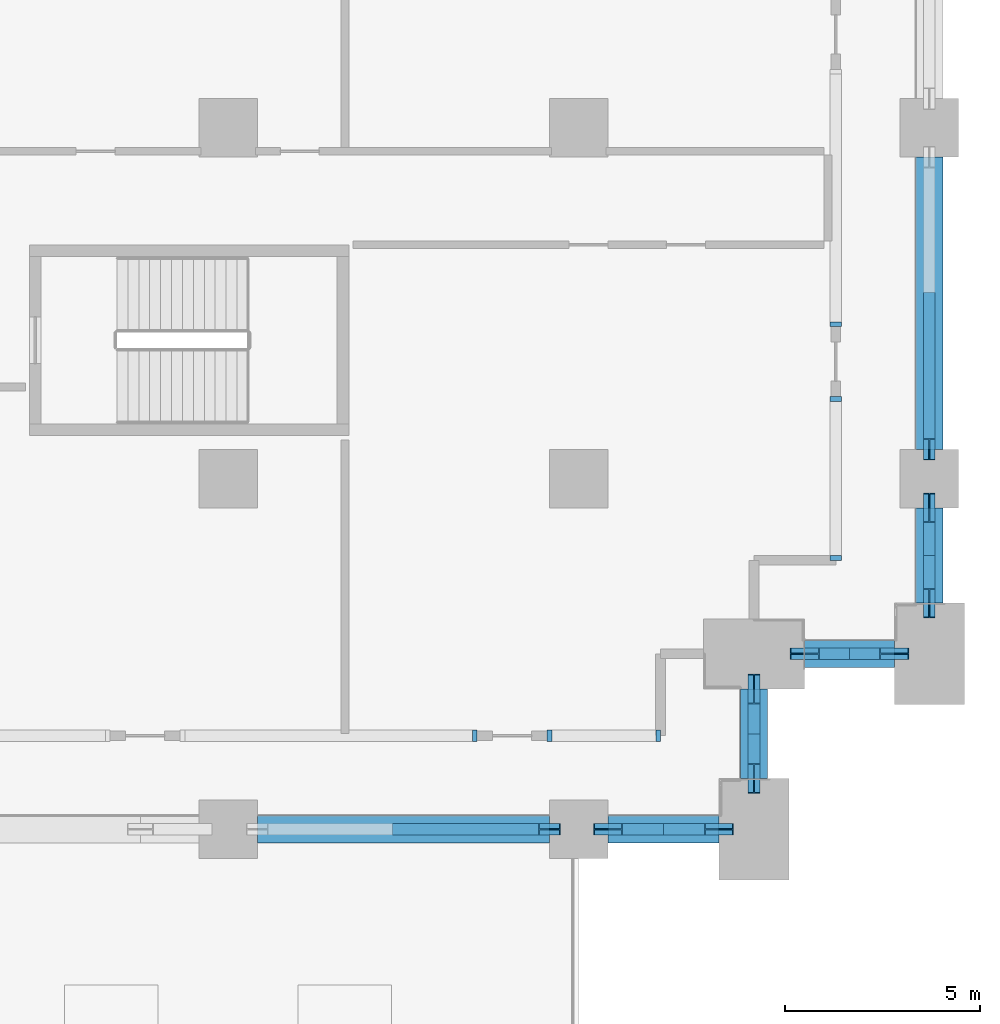
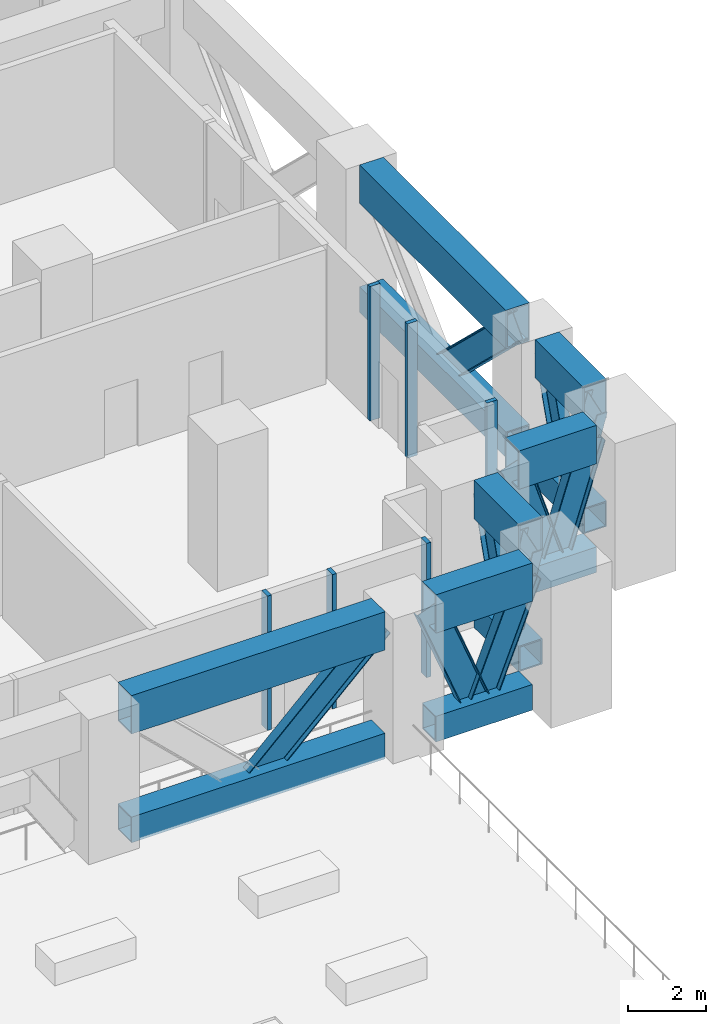
# One storey, part 4 of 31: 28 members.
"""IFC4 building model written with IfcOpenShell, lengths in metres."""

from ifc_helpers import new_model, si_unit, direction, frame, origin, origin_2d, place, context, subcontext, project, spatial, rectangle, hollow_rectangle, i_section, extrude, material, material_profile, profile_set, type_object, element, save


model = new_model("IFC4")

# Units and contexts
model_context = context("Model", 3, precision=1e-05, world=origin(), true_north=direction((0.0, 1.0)))
body_context = subcontext(model_context, "Body", "Model", "MODEL_VIEW")
ifc_project = project(units=[si_unit("LENGTHUNIT", "METRE"), si_unit("AREAUNIT", "SQUARE_METRE"), si_unit("VOLUMEUNIT", "CUBIC_METRE"), si_unit("PLANEANGLEUNIT", "RADIAN"), si_unit("MASSUNIT", "GRAM", prefix="KILO")], contexts=[model_context])

# Site, building, storey
site_placement = place(None, origin())
site = spatial("IfcSite", under=ifc_project, at=site_placement, CompositionType="ELEMENT")
building_placement = place(site_placement, origin())
building = spatial("IfcBuilding", under=site, at=building_placement, Name="Hunhe Ridgeline Campus", CompositionType="ELEMENT")
storey_placement = place(building_placement, frame((0.0, 0.0, 31.199951171875)))
storey = spatial("IfcBuildingStorey", under=building, at=storey_placement, Name="L06", CompositionType="ELEMENT", Elevation=31.199951171875)

# Members
ifc_material_1 = material(Name="Steel Q420", Category="steel")
ifc_material_profile_1 = material_profile(ifc_material_1, hollow_rectangle(XDim=0.699951171875, YDim=0.800048828125, WallThickness=0.0400390625, at=origin_2d()))
ifc_profile_set_1 = profile_set([ifc_material_profile_1], Name="Steel Q420")
member_type_1 = type_object("IfcMemberType", Name="Belt truss bottom chord Box 800x700x40 Steel Q420", PredefinedType="CHORD", material=ifc_profile_set_1)
member_1_placement = place(storey_placement, frame((81.75, 54.0, 0.400146484375), z_axis=(1.0, 0.0, 0.0), x_axis=(0.0, 1.0, 0.0)))
element("IfcMember", 1, at=member_1_placement, inside=storey, type_object=member_type_1, Name="Belt truss BT1 bottom chord L06 62", PredefinedType="CHORD", context=body_context, shape_type="SweptSolid", body=[
    extrude(hollow_rectangle(XDim=0.699951171875, YDim=0.800048828125, WallThickness=0.0400390625, at=origin_2d()), origin(), (0.0, 0.0, 1.0), 7.5),
])
member_2_placement = place(storey_placement, frame((90.75, 54.0, 0.400146484375), z_axis=(1.0, 0.0, 0.0), x_axis=(0.0, 1.0, 0.0)))
element("IfcMember", 2, at=member_2_placement, inside=storey, type_object=member_type_1, Name="Belt truss BT1 bottom chord L06 66", PredefinedType="CHORD", context=body_context, shape_type="SweptSolid", body=[
    extrude(hollow_rectangle(XDim=0.699951171875, YDim=0.800048828125, WallThickness=0.0400390625, at=origin_2d()), origin(), (0.0, 0.0, 1.0), 2.85009765625),
])
for number, where, z_axis, x_axis, name in (
    (3, (94.5, 55.300048828125, 0.400146484375), (0.0, 1.0, 0.0), (-1.0, 0.0, 0.0), "Belt truss BT1 bottom chord L06 70"),
    (4, (95.800048828125, 58.5, 0.400146484375), (1.0, 0.0, 0.0), (0.0, 1.0, 0.0), "Belt truss BT1 bottom chord L06 74"),
):
    element("IfcMember", number, at=place(storey_placement, frame(where, z_axis=z_axis, x_axis=x_axis)), inside=storey, type_object=member_type_1, Name=name, PredefinedType="CHORD", context=body_context, shape_type="SweptSolid", body=[
        extrude(hollow_rectangle(XDim=0.699951171875, YDim=0.800048828125, WallThickness=0.0400390625, at=origin_2d()), origin(), (0.0, 0.0, 1.0), 2.300048828125),
    ])
member_3_placement = place(storey_placement, frame((99.0, 59.800048828125, 0.400146484375), z_axis=(0.0, 1.0, 0.0), x_axis=(-1.0, 0.0, 0.0)))
element("IfcMember", 5, at=member_3_placement, inside=storey, type_object=member_type_1, Name="Belt truss BT1 bottom chord L06 78", PredefinedType="CHORD", context=body_context, shape_type="SweptSolid", body=[
    extrude(hollow_rectangle(XDim=0.699951171875, YDim=0.800048828125, WallThickness=0.0400390625, at=origin_2d()), origin(), (0.0, 0.0, 1.0), 2.449951171875),
])
member_4_placement = place(storey_placement, frame((99.0, 63.75, 0.400146484375), z_axis=(0.0, 1.0, 0.0), x_axis=(-1.0, 0.0, 0.0)))
element("IfcMember", 6, at=member_4_placement, inside=storey, type_object=member_type_1, Name="Belt truss BT1 bottom chord L06 82", PredefinedType="CHORD", context=body_context, shape_type="SweptSolid", body=[
    extrude(hollow_rectangle(XDim=0.699951171875, YDim=0.800048828125, WallThickness=0.0400390625, at=origin_2d()), origin(), (0.0, 0.0, 1.0), 7.5),
])
ifc_material_profile_2 = material_profile(ifc_material_1, i_section(OverallWidth=0.300048828125, OverallDepth=0.800048828125, WebThickness=0.013916015625, FlangeThickness=0.02587890625, FilletRadius=0.01806640625, at=origin_2d()))
ifc_profile_set_2 = profile_set([ifc_material_profile_2], Name="Steel Q420")
member_type_2 = type_object("IfcMemberType", Name="Belt truss diagonal HN800x300x14x26 Steel Q420", PredefinedType="BRACE", material=ifc_profile_set_2)
member_5_placement = place(storey_placement, frame((85.5, 54.0, 0.400146484375), z_axis=(0.721401399021, 0.0, 0.692517163318), x_axis=(0.0, 1.0, 0.0)))
element("IfcMember", 7, at=member_5_placement, inside=storey, type_object=member_type_2, Name="Belt truss BT1 diagonal L06 64", PredefinedType="BRACE", context=body_context, shape_type="SweptSolid", body=[
    extrude(i_section(OverallWidth=0.300048828125, OverallDepth=0.800048828125, WebThickness=0.013916015625, FlangeThickness=0.02587890625, FilletRadius=0.01806640625, at=origin_2d()), origin(), (0.0, 0.0, 1.0), 5.1982421875),
])
for number, where, z_axis, x_axis, name in (
    (8, (90.75, 54.0, 4.0), (0.368072301896, 0.0, -0.929797171741), (0.0, 1.0, 0.0), "Belt truss BT1 diagonal L06 67"),
    (9, (92.175048828125, 54.0, 0.400146484375), (0.368072301896, 0.0, 0.929797171741), (0.0, 1.0, 0.0), "Belt truss BT1 diagonal L06 68"),
):
    element("IfcMember", number, at=place(storey_placement, frame(where, z_axis=z_axis, x_axis=x_axis)), inside=storey, type_object=member_type_2, Name=name, PredefinedType="BRACE", context=body_context, shape_type="SweptSolid", body=[
        extrude(i_section(OverallWidth=0.300048828125, OverallDepth=0.800048828125, WebThickness=0.013916015625, FlangeThickness=0.02587890625, FilletRadius=0.01806640625, at=origin_2d()), origin(), (0.0, 0.0, 1.0), 3.87158203125),
    ])
for number, where, z_axis, x_axis, name in (
    (10, (94.5, 55.300048828125, 4.0), (0.0, 0.304283423085, -0.952581544245), (-1.0, 0.0, 0.0), "Belt truss BT1 diagonal L06 71"),
    (11, (94.5, 56.449951171875, 0.400146484375), (0.0, 0.304342043503, 0.952562817118), (-1.0, 0.0, 0.0), "Belt truss BT1 diagonal L06 72"),
    (12, (95.800048828125, 58.5, 4.0), (0.304283423085, 0.0, -0.952581544245), (0.0, 1.0, 0.0), "Belt truss BT1 diagonal L06 75"),
    (13, (96.949951171875, 58.5, 0.400146484375), (0.304342043503, 0.0, 0.952562817118), (0.0, 1.0, 0.0), "Belt truss BT1 diagonal L06 76"),
):
    element("IfcMember", number, at=place(storey_placement, frame(where, z_axis=z_axis, x_axis=x_axis)), inside=storey, type_object=member_type_2, Name=name, PredefinedType="BRACE", context=body_context, shape_type="SweptSolid", body=[
        extrude(i_section(OverallWidth=0.300048828125, OverallDepth=0.800048828125, WebThickness=0.013916015625, FlangeThickness=0.02587890625, FilletRadius=0.01806640625, at=origin_2d()), origin(), (0.0, 0.0, 1.0), 3.779052734375),
    ])
for number, where, z_axis, x_axis, name in (
    (14, (99.0, 59.800048828125, 4.0), (0.0, 0.322115666919, -0.946700320653), (-1.0, 0.0, 0.0), "Belt truss BT1 diagonal L06 79"),
    (15, (99.0, 61.02490234375, 0.400146484375), (0.0, 0.322173208173, 0.946680740237), (-1.0, 0.0, 0.0), "Belt truss BT1 diagonal L06 80"),
):
    element("IfcMember", number, at=place(storey_placement, frame(where, z_axis=z_axis, x_axis=x_axis)), inside=storey, type_object=member_type_2, Name=name, PredefinedType="BRACE", context=body_context, shape_type="SweptSolid", body=[
        extrude(i_section(OverallWidth=0.300048828125, OverallDepth=0.800048828125, WebThickness=0.013916015625, FlangeThickness=0.02587890625, FilletRadius=0.01806640625, at=origin_2d()), origin(), (0.0, 0.0, 1.0), 3.802490234375),
    ])
member_6_placement = place(storey_placement, frame((99.0, 63.75, 4.0), z_axis=(0.0, 0.721401399021, -0.692517163318), x_axis=(-1.0, 0.0, 0.0)))
element("IfcMember", 16, at=member_6_placement, inside=storey, type_object=member_type_2, Name="Belt truss BT1 diagonal L06 83", PredefinedType="BRACE", context=body_context, shape_type="SweptSolid", body=[
    extrude(i_section(OverallWidth=0.300048828125, OverallDepth=0.800048828125, WebThickness=0.013916015625, FlangeThickness=0.02587890625, FilletRadius=0.01806640625, at=origin_2d()), origin(), (0.0, 0.0, 1.0), 5.1982421875),
])
ifc_material_profile_3 = material_profile(ifc_material_1, hollow_rectangle(XDim=0.699951171875, YDim=1.199951171875, WallThickness=0.0400390625, at=origin_2d()))
ifc_profile_set_3 = profile_set([ifc_material_profile_3], Name="Steel Q420")
member_type_3 = type_object("IfcMemberType", Name="Belt truss top chord Box 1200x700x40 Steel Q420", PredefinedType="CHORD", material=ifc_profile_set_3)
member_7_placement = place(storey_placement, frame((81.75, 54.0, 4.0), z_axis=(1.0, 0.0, 0.0), x_axis=(0.0, 1.0, 0.0)))
element("IfcMember", 17, at=member_7_placement, inside=storey, type_object=member_type_3, Name="Belt truss BT1 top chord L06 61", PredefinedType="CHORD", context=body_context, shape_type="SweptSolid", body=[
    extrude(hollow_rectangle(XDim=0.699951171875, YDim=1.199951171875, WallThickness=0.0400390625, at=origin_2d()), origin(), (0.0, 0.0, 1.0), 7.5),
])
member_8_placement = place(storey_placement, frame((90.75, 54.0, 4.0), z_axis=(1.0, 0.0, 0.0), x_axis=(0.0, 1.0, 0.0)))
element("IfcMember", 18, at=member_8_placement, inside=storey, type_object=member_type_3, Name="Belt truss BT1 top chord L06 65", PredefinedType="CHORD", context=body_context, shape_type="SweptSolid", body=[
    extrude(hollow_rectangle(XDim=0.699951171875, YDim=1.199951171875, WallThickness=0.0400390625, at=origin_2d()), origin(), (0.0, 0.0, 1.0), 2.85009765625),
])
for number, where, z_axis, x_axis, name in (
    (19, (94.5, 55.300048828125, 4.0), (0.0, 1.0, 0.0), (-1.0, 0.0, 0.0), "Belt truss BT1 top chord L06 69"),
    (20, (95.800048828125, 58.5, 4.0), (1.0, 0.0, 0.0), (0.0, 1.0, 0.0), "Belt truss BT1 top chord L06 73"),
):
    element("IfcMember", number, at=place(storey_placement, frame(where, z_axis=z_axis, x_axis=x_axis)), inside=storey, type_object=member_type_3, Name=name, PredefinedType="CHORD", context=body_context, shape_type="SweptSolid", body=[
        extrude(hollow_rectangle(XDim=0.699951171875, YDim=1.199951171875, WallThickness=0.0400390625, at=origin_2d()), origin(), (0.0, 0.0, 1.0), 2.300048828125),
    ])
member_9_placement = place(storey_placement, frame((99.0, 59.800048828125, 4.0), z_axis=(0.0, 1.0, 0.0), x_axis=(-1.0, 0.0, 0.0)))
element("IfcMember", 21, at=member_9_placement, inside=storey, type_object=member_type_3, Name="Belt truss BT1 top chord L06 77", PredefinedType="CHORD", context=body_context, shape_type="SweptSolid", body=[
    extrude(hollow_rectangle(XDim=0.699951171875, YDim=1.199951171875, WallThickness=0.0400390625, at=origin_2d()), origin(), (0.0, 0.0, 1.0), 2.449951171875),
])
member_10_placement = place(storey_placement, frame((99.0, 63.75, 4.0), z_axis=(0.0, 1.0, 0.0), x_axis=(-1.0, 0.0, 0.0)))
element("IfcMember", 22, at=member_10_placement, inside=storey, type_object=member_type_3, Name="Belt truss BT1 top chord L06 81", PredefinedType="CHORD", context=body_context, shape_type="SweptSolid", body=[
    extrude(hollow_rectangle(XDim=0.699951171875, YDim=1.199951171875, WallThickness=0.0400390625, at=origin_2d()), origin(), (0.0, 0.0, 1.0), 7.5),
])
ifc_material_2 = material(Name="Aluminium 6063", Category="aluminium")
ifc_material_profile_4 = material_profile(ifc_material_2, rectangle(XDim=0.300048828125, YDim=0.1201171875, at=origin_2d()))
ifc_profile_set_4 = profile_set([ifc_material_profile_4], Name="Aluminium 6063")
member_type_4 = type_object("IfcMemberType", Name="Louvre frame jamb 120x300 Aluminium 6063", PredefinedType="USERDEFINED", material=ifc_profile_set_4)
for number, where, z_axis, x_axis, name in (
    (23, (87.3291015625, 56.40087890625, 0.0), (0.0, 0.0, 1.0), (-3.54335e-06, 0.999999999994, 0.0), "Louvre frame jamb 25b"),
    (24, (89.2490234375, 56.40087890625, 0.0), (0.0, 0.0, 1.0), (-3.436483e-06, 0.999999999994, 0.0), "Louvre frame jamb 26a"),
    (25, (92.0390625, 56.40087890625, 0.0), (0.0, 0.0, 1.0), (-3.436483e-06, 0.999999999994, 0.0), "Louvre frame jamb 26b"),
    (26, (96.59912109375, 60.9609375, 0.0), (0.0, 0.0, 1.0), (-1.0, 0.0, 0.0), "Louvre frame jamb 27a"),
    (27, (96.59912109375, 65.040771484375, 0.0), (0.0, 0.0, 1.0), (-1.0, 0.0, 0.0), "Louvre frame jamb 27b"),
    (28, (96.59912109375, 66.9609375, 0.0), (0.0, 0.0, 1.0), (-1.0, 0.0, 0.0), "Louvre frame jamb 28a"),
):
    element("IfcMember", number, at=place(storey_placement, frame(where, z_axis=z_axis, x_axis=x_axis)), inside=storey, type_object=member_type_4, Name=name, ObjectType="LOUVRE FRAME", PredefinedType="USERDEFINED", context=body_context, shape_type="SweptSolid", body=[
        extrude(rectangle(XDim=0.300048828125, YDim=0.1201171875, at=origin_2d()), origin(), (0.0, 0.0, 1.0), 4.199951171875),
    ])

save(model, "model.ifc")
